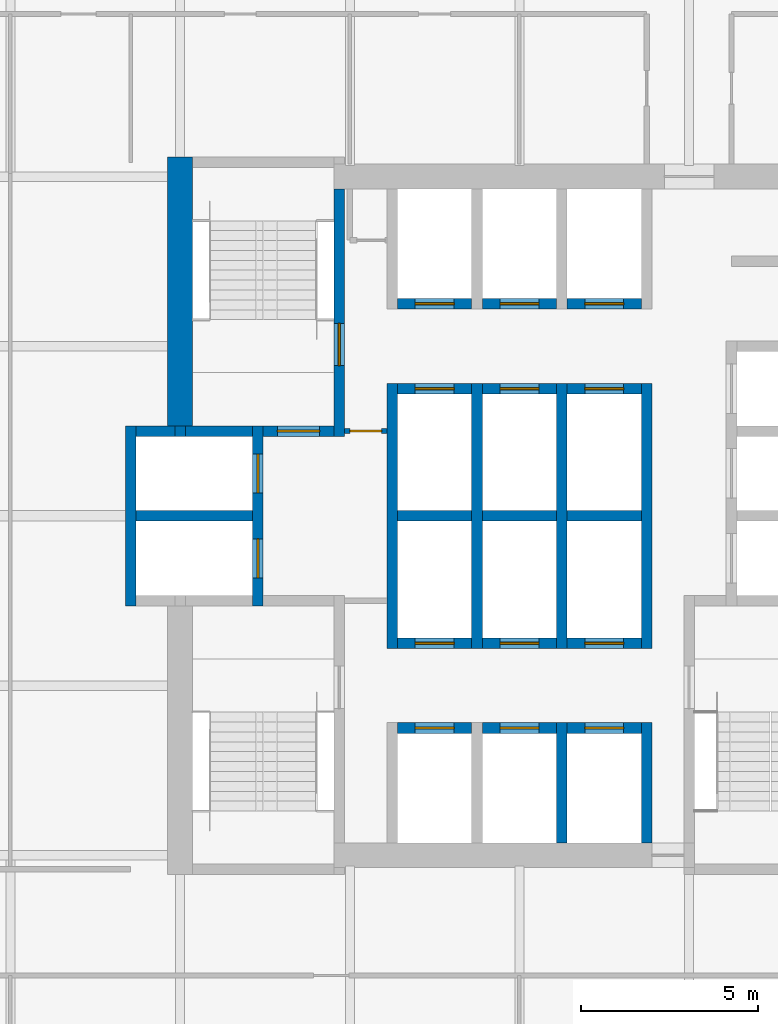
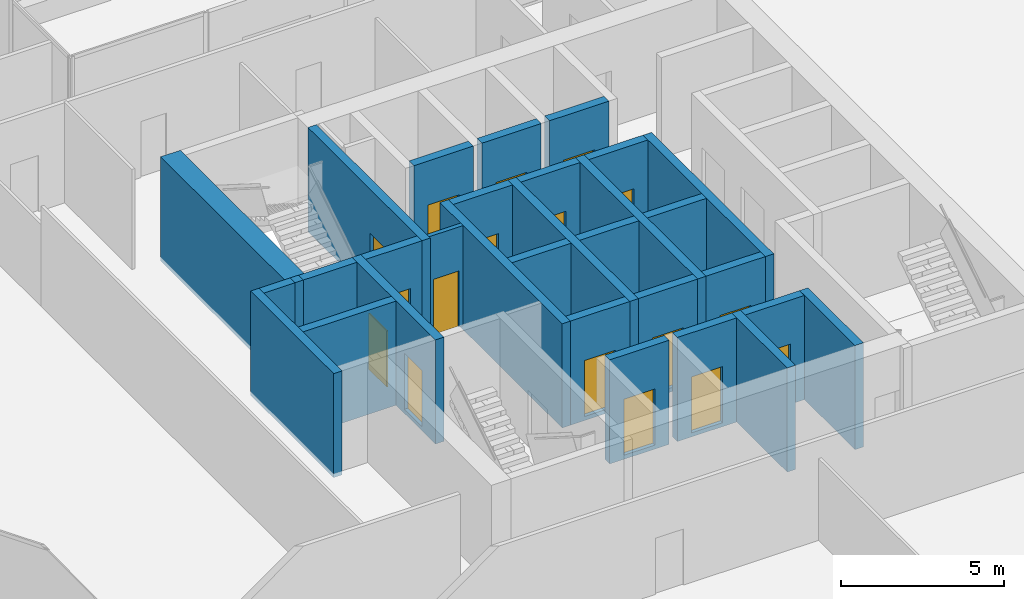
# One storey, part 12 of 17: 31 walls, 17 doors, 17 openings.
"""IFC4 building model written with IfcOpenShell, lengths in metres."""

from ifc_helpers import new_model, si_unit, direction, frame, frame_2d, origin, place, context, subcontext, project, spatial, rectangle, extrude, material, layer, layer_set, type_object, element, fill, save


model = new_model("IFC4")

# Units and contexts
model_context = context("Model", 3, precision=1e-05, world=origin(), true_north=direction((0.0, 1.0)))
body_context = subcontext(model_context, "Body", "Model", "MODEL_VIEW")
ifc_project = project(units=[si_unit("LENGTHUNIT", "METRE"), si_unit("AREAUNIT", "SQUARE_METRE"), si_unit("VOLUMEUNIT", "CUBIC_METRE"), si_unit("PLANEANGLEUNIT", "RADIAN"), si_unit("MASSUNIT", "GRAM", prefix="KILO")], contexts=[model_context])

# Site, building, storey
site_placement = place(None, origin())
site = spatial("IfcSite", under=ifc_project, at=site_placement, CompositionType="ELEMENT")
building_placement = place(site_placement, origin())
building = spatial("IfcBuilding", under=site, at=building_placement, Name="Kolab Exchange Tower", CompositionType="ELEMENT")
storey_placement = place(building_placement, frame((0.0, 0.0, 166.10009765625)))
storey = spatial("IfcBuildingStorey", under=building, at=storey_placement, Name="L34", CompositionType="ELEMENT", Elevation=166.10009765625)

# Wall
ifc_material_1 = material(Name="Concrete C60/75", Category="concrete")
ifc_layer_1 = layer(ifc_material_1, 0.699951171875)
ifc_layer_set_1 = layer_set([ifc_layer_1], Name="Concrete C60/75")
wall_type_1 = type_object("IfcWallType", Name="CORE WALL 700 C60/75", PredefinedType="SHEAR", material=ifc_layer_set_1)
wall_1_placement = place(storey_placement, frame((-9.60009765625, 2.550048828125, -0.150146484375), z_axis=(0.0, 0.0, 1.0), x_axis=(0.0, 1.0, 0.0)))
element("IfcWall", 1, at=wall_1_placement, inside=storey, type_object=wall_type_1, Name="wall/L34/core/037", PredefinedType="SHEAR", context=body_context, shape_type="SweptSolid", body=[
    extrude(rectangle(XDim=7.599853515625, YDim=0.699951171875, at=frame_2d((3.7998046875, 0.0))), origin(), (0.0, 0.0, 1.0), 3.900146484375),
])

# Wall, opening, door
ifc_material_2 = material(Name="Concrete C50/60", Category="concrete")
ifc_layer_2 = layer(ifc_material_2, 0.300048828125)
ifc_layer_set_2 = layer_set([ifc_layer_2], Name="Concrete C50/60")
wall_type_2 = type_object("IfcWallType", Name="LIFT SHAFT WALL 300 C50/60", PredefinedType="STANDARD", material=ifc_layer_set_2)
wall_2_placement = place(storey_placement, frame((-3.449951171875, -6.0, -0.150146484375), z_axis=(0.0, 0.0, 1.0), x_axis=(1.0, 0.0, 0.0)))
wall_2 = element("IfcWall", 2, at=wall_2_placement, inside=storey, type_object=wall_type_2, Name="wall/L34/core/003", PredefinedType="STANDARD", context=body_context, shape_type="SweptSolid", body=[
    extrude(rectangle(XDim=2.099853515625, YDim=0.300048828125, at=frame_2d((1.0498046875, 0.0))), origin(), (0.0, 0.0, 1.0), 3.900146484375),
])
opening_1_placement = place(wall_2_placement, frame((0.5, 0.0, 0.14990234375)))
opening_1 = element("IfcOpeningElement", 3, at=opening_1_placement, cuts=wall_2, Name="Opening LD1-110", PredefinedType="OPENING", context=body_context, shape_type="SweptSolid", body=[
    extrude(rectangle(XDim=1.10009765625, YDim=2.10009765625, at=frame_2d((0.550048828125, 1.050048828125))), frame((0.0, 0.16015625, 0.0), z_axis=(0.0, -1.0, 0.0), x_axis=(1.0, 0.0, 0.0)), (0.0, 0.0, 1.0), 0.320068359375),
])
ifc_material_3 = material(Name="Stainless steel 316", Category="steel")
door_type_1 = type_object("IfcDoorType", Name="LANDING DOOR 1100 PASSENGER", OperationType="DOUBLE_DOOR_SLIDING", PredefinedType="DOOR", material=ifc_material_3)
door_1_placement = place(opening_1_placement, origin())
door_1 = element("IfcDoor", 4, at=door_1_placement, inside=storey, type_object=door_type_1, Name="Landing door HR10", OperationType="DOUBLE_DOOR_SLIDING", OverallHeight=2.10009765625, OverallWidth=1.10009765625, PredefinedType="DOOR", context=body_context, shape_type="SweptSolid", body=[
    extrude(rectangle(XDim=1.10009765625, YDim=2.10009765625, at=frame_2d((0.550048828125, 1.050048828125))), frame((0.0, 0.02490234375, 0.0), z_axis=(0.0, -1.0, 0.0), x_axis=(1.0, 0.0, 0.0)), (0.0, 0.0, 1.0), 0.050048828125),
])
fill(opening_1, door_1)

wall_3_placement = place(storey_placement, frame((-1.050048828125, -6.0, -0.150146484375), z_axis=(0.0, 0.0, 1.0), x_axis=(1.0, 0.0, 0.0)))
wall_3 = element("IfcWall", 5, at=wall_3_placement, inside=storey, type_object=wall_type_2, Name="wall/L34/core/004", PredefinedType="STANDARD", context=body_context, shape_type="SweptSolid", body=[
    extrude(rectangle(XDim=2.10009765625, YDim=0.300048828125, at=frame_2d((1.050048828125, 0.0))), origin(), (0.0, 0.0, 1.0), 3.900146484375),
])
opening_2_placement = place(wall_3_placement, frame((0.5, 0.0, 0.14990234375)))
opening_2 = element("IfcOpeningElement", 6, at=opening_2_placement, cuts=wall_3, Name="Opening LD1-111", PredefinedType="OPENING", context=body_context, shape_type="SweptSolid", body=[
    extrude(rectangle(XDim=1.10009765625, YDim=2.10009765625, at=frame_2d((0.550048828125, 1.050048828125))), frame((0.0, 0.16015625, 0.0), z_axis=(0.0, -1.0, 0.0), x_axis=(1.0, 0.0, 0.0)), (0.0, 0.0, 1.0), 0.320068359375),
])
door_2_placement = place(opening_2_placement, origin())
door_2 = element("IfcDoor", 7, at=door_2_placement, inside=storey, type_object=door_type_1, Name="Landing door HR11", OperationType="DOUBLE_DOOR_SLIDING", OverallHeight=2.10009765625, OverallWidth=1.10009765625, PredefinedType="DOOR", context=body_context, shape_type="SweptSolid", body=[
    extrude(rectangle(XDim=1.10009765625, YDim=2.10009765625, at=frame_2d((0.550048828125, 1.050048828125))), frame((0.0, 0.02490234375, 0.0), z_axis=(0.0, -1.0, 0.0), x_axis=(1.0, 0.0, 0.0)), (0.0, 0.0, 1.0), 0.050048828125),
])
fill(opening_2, door_2)

wall_4_placement = place(storey_placement, frame((1.35009765625, -6.0, -0.150146484375), z_axis=(0.0, 0.0, 1.0), x_axis=(1.0, 0.0, 0.0)))
wall_4 = element("IfcWall", 8, at=wall_4_placement, inside=storey, type_object=wall_type_2, Name="wall/L34/core/005", PredefinedType="STANDARD", context=body_context, shape_type="SweptSolid", body=[
    extrude(rectangle(XDim=2.099853515625, YDim=0.300048828125, at=frame_2d((1.0498046875, 0.0))), origin(), (0.0, 0.0, 1.0), 3.900146484375),
])
opening_3_placement = place(wall_4_placement, frame((0.5, 0.0, 0.14990234375)))
opening_3 = element("IfcOpeningElement", 9, at=opening_3_placement, cuts=wall_4, Name="Opening LD1-112", PredefinedType="OPENING", context=body_context, shape_type="SweptSolid", body=[
    extrude(rectangle(XDim=1.10009765625, YDim=2.10009765625, at=frame_2d((0.550048828125, 1.050048828125))), frame((0.0, 0.16015625, 0.0), z_axis=(0.0, -1.0, 0.0), x_axis=(1.0, 0.0, 0.0)), (0.0, 0.0, 1.0), 0.320068359375),
])
door_3_placement = place(opening_3_placement, origin())
door_3 = element("IfcDoor", 10, at=door_3_placement, inside=storey, type_object=door_type_1, Name="Landing door HR12", OperationType="DOUBLE_DOOR_SLIDING", OverallHeight=2.10009765625, OverallWidth=1.10009765625, PredefinedType="DOOR", context=body_context, shape_type="SweptSolid", body=[
    extrude(rectangle(XDim=1.10009765625, YDim=2.10009765625, at=frame_2d((0.550048828125, 1.050048828125))), frame((0.0, 0.02490234375, 0.0), z_axis=(0.0, -1.0, 0.0), x_axis=(1.0, 0.0, 0.0)), (0.0, 0.0, 1.0), 0.050048828125),
])
fill(opening_3, door_3)

wall_5_placement = place(storey_placement, frame((-3.449951171875, -3.60009765625, -0.150146484375), z_axis=(0.0, 0.0, 1.0), x_axis=(1.0, 0.0, 0.0)))
wall_5 = element("IfcWall", 11, at=wall_5_placement, inside=storey, type_object=wall_type_2, Name="wall/L34/core/006", PredefinedType="STANDARD", context=body_context, shape_type="SweptSolid", body=[
    extrude(rectangle(XDim=2.099853515625, YDim=0.300048828125, at=frame_2d((1.0498046875, 0.0))), origin(), (0.0, 0.0, 1.0), 3.900146484375),
])
opening_4_placement = place(wall_5_placement, frame((0.5, 0.0, 0.14990234375)))
opening_4 = element("IfcOpeningElement", 12, at=opening_4_placement, cuts=wall_5, Name="Opening LD1-118", PredefinedType="OPENING", context=body_context, shape_type="SweptSolid", body=[
    extrude(rectangle(XDim=1.10009765625, YDim=2.10009765625, at=frame_2d((0.550048828125, 1.050048828125))), frame((0.0, 0.16015625, 0.0), z_axis=(0.0, -1.0, 0.0), x_axis=(1.0, 0.0, 0.0)), (0.0, 0.0, 1.0), 0.320068359375),
])
door_4_placement = place(opening_4_placement, origin())
door_4 = element("IfcDoor", 13, at=door_4_placement, inside=storey, type_object=door_type_1, Name="Landing door HR7", OperationType="DOUBLE_DOOR_SLIDING", OverallHeight=2.10009765625, OverallWidth=1.10009765625, PredefinedType="DOOR", context=body_context, shape_type="SweptSolid", body=[
    extrude(rectangle(XDim=1.10009765625, YDim=2.10009765625, at=frame_2d((0.550048828125, 1.050048828125))), frame((0.0, 0.02490234375, 0.0), z_axis=(0.0, -1.0, 0.0), x_axis=(1.0, 0.0, 0.0)), (0.0, 0.0, 1.0), 0.050048828125),
])
fill(opening_4, door_4)

wall_6_placement = place(storey_placement, frame((-1.050048828125, -3.60009765625, -0.150146484375), z_axis=(0.0, 0.0, 1.0), x_axis=(1.0, 0.0, 0.0)))
wall_6 = element("IfcWall", 14, at=wall_6_placement, inside=storey, type_object=wall_type_2, Name="wall/L34/core/007", PredefinedType="STANDARD", context=body_context, shape_type="SweptSolid", body=[
    extrude(rectangle(XDim=2.10009765625, YDim=0.300048828125, at=frame_2d((1.050048828125, 0.0))), origin(), (0.0, 0.0, 1.0), 3.900146484375),
])
opening_5_placement = place(wall_6_placement, frame((0.5, 0.0, 0.14990234375)))
opening_5 = element("IfcOpeningElement", 15, at=opening_5_placement, cuts=wall_6, Name="Opening LD1-119", PredefinedType="OPENING", context=body_context, shape_type="SweptSolid", body=[
    extrude(rectangle(XDim=1.10009765625, YDim=2.10009765625, at=frame_2d((0.550048828125, 1.050048828125))), frame((0.0, 0.16015625, 0.0), z_axis=(0.0, -1.0, 0.0), x_axis=(1.0, 0.0, 0.0)), (0.0, 0.0, 1.0), 0.320068359375),
])
door_5_placement = place(opening_5_placement, origin())
door_5 = element("IfcDoor", 16, at=door_5_placement, inside=storey, type_object=door_type_1, Name="Landing door HR8", OperationType="DOUBLE_DOOR_SLIDING", OverallHeight=2.10009765625, OverallWidth=1.10009765625, PredefinedType="DOOR", context=body_context, shape_type="SweptSolid", body=[
    extrude(rectangle(XDim=1.10009765625, YDim=2.10009765625, at=frame_2d((0.550048828125, 1.050048828125))), frame((0.0, 0.02490234375, 0.0), z_axis=(0.0, -1.0, 0.0), x_axis=(1.0, 0.0, 0.0)), (0.0, 0.0, 1.0), 0.050048828125),
])
fill(opening_5, door_5)

wall_7_placement = place(storey_placement, frame((1.35009765625, -3.60009765625, -0.150146484375), z_axis=(0.0, 0.0, 1.0), x_axis=(1.0, 0.0, 0.0)))
wall_7 = element("IfcWall", 17, at=wall_7_placement, inside=storey, type_object=wall_type_2, Name="wall/L34/core/008", PredefinedType="STANDARD", context=body_context, shape_type="SweptSolid", body=[
    extrude(rectangle(XDim=2.099853515625, YDim=0.300048828125, at=frame_2d((1.0498046875, 0.0))), origin(), (0.0, 0.0, 1.0), 3.900146484375),
])
opening_6_placement = place(wall_7_placement, frame((0.5, 0.0, 0.14990234375)))
opening_6 = element("IfcOpeningElement", 18, at=opening_6_placement, cuts=wall_7, Name="Opening LD1-120", PredefinedType="OPENING", context=body_context, shape_type="SweptSolid", body=[
    extrude(rectangle(XDim=1.10009765625, YDim=2.10009765625, at=frame_2d((0.550048828125, 1.050048828125))), frame((0.0, 0.16015625, 0.0), z_axis=(0.0, -1.0, 0.0), x_axis=(1.0, 0.0, 0.0)), (0.0, 0.0, 1.0), 0.320068359375),
])
door_6_placement = place(opening_6_placement, origin())
door_6 = element("IfcDoor", 19, at=door_6_placement, inside=storey, type_object=door_type_1, Name="Landing door HR9", OperationType="DOUBLE_DOOR_SLIDING", OverallHeight=2.10009765625, OverallWidth=1.10009765625, PredefinedType="DOOR", context=body_context, shape_type="SweptSolid", body=[
    extrude(rectangle(XDim=1.10009765625, YDim=2.10009765625, at=frame_2d((0.550048828125, 1.050048828125))), frame((0.0, 0.02490234375, 0.0), z_axis=(0.0, -1.0, 0.0), x_axis=(1.0, 0.0, 0.0)), (0.0, 0.0, 1.0), 0.050048828125),
])
fill(opening_6, door_6)

# Walls
wall_8_placement = place(storey_placement, frame((-10.85009765625, 0.0, -0.150146484375), z_axis=(0.0, 0.0, 1.0), x_axis=(1.0, 0.0, 0.0)))
element("IfcWall", 20, at=wall_8_placement, inside=storey, type_object=wall_type_2, Name="wall/L34/core/014", PredefinedType="STANDARD", context=body_context, shape_type="SweptSolid", body=[
    extrude(rectangle(XDim=3.300048828125, YDim=0.300048828125, at=frame_2d((1.64990234375, 0.0))), origin(), (0.0, 0.0, 1.0), 3.900146484375),
])
wall_9_placement = place(storey_placement, frame((-3.449951171875, 0.0, -0.150146484375), z_axis=(0.0, 0.0, 1.0), x_axis=(1.0, 0.0, 0.0)))
element("IfcWall", 21, at=wall_9_placement, inside=storey, type_object=wall_type_2, Name="wall/L34/core/015", PredefinedType="STANDARD", context=body_context, shape_type="SweptSolid", body=[
    extrude(rectangle(XDim=2.099853515625, YDim=0.300048828125, at=frame_2d((1.0498046875, 0.0))), origin(), (0.0, 0.0, 1.0), 3.900146484375),
])
wall_10_placement = place(storey_placement, frame((-1.050048828125, 0.0, -0.150146484375), z_axis=(0.0, 0.0, 1.0), x_axis=(1.0, 0.0, 0.0)))
element("IfcWall", 22, at=wall_10_placement, inside=storey, type_object=wall_type_2, Name="wall/L34/core/016", PredefinedType="STANDARD", context=body_context, shape_type="SweptSolid", body=[
    extrude(rectangle(XDim=2.10009765625, YDim=0.300048828125, at=frame_2d((1.050048828125, 0.0))), origin(), (0.0, 0.0, 1.0), 3.900146484375),
])
wall_11_placement = place(storey_placement, frame((1.35009765625, 0.0, -0.150146484375), z_axis=(0.0, 0.0, 1.0), x_axis=(1.0, 0.0, 0.0)))
element("IfcWall", 23, at=wall_11_placement, inside=storey, type_object=wall_type_2, Name="wall/L34/core/017", PredefinedType="STANDARD", context=body_context, shape_type="SweptSolid", body=[
    extrude(rectangle(XDim=2.099853515625, YDim=0.300048828125, at=frame_2d((1.0498046875, 0.0))), origin(), (0.0, 0.0, 1.0), 3.900146484375),
])
wall_12_placement = place(storey_placement, frame((-10.85009765625, 2.39990234375, -0.150146484375), z_axis=(0.0, 0.0, 1.0), x_axis=(1.0, 0.0, 0.0)))
element("IfcWall", 24, at=wall_12_placement, inside=storey, type_object=wall_type_2, Name="wall/L34/core/019", PredefinedType="STANDARD", context=body_context, shape_type="SweptSolid", body=[
    extrude(rectangle(XDim=1.10009765625, YDim=0.300048828125, at=frame_2d((0.550048828125, 0.0))), origin(), (0.0, 0.0, 1.0), 3.900146484375),
])

# Wall, opening, door
wall_13_placement = place(storey_placement, frame((-3.449951171875, 3.60009765625, -0.150146484375), z_axis=(0.0, 0.0, 1.0), x_axis=(1.0, 0.0, 0.0)))
wall_13 = element("IfcWall", 25, at=wall_13_placement, inside=storey, type_object=wall_type_2, Name="wall/L34/core/023", PredefinedType="STANDARD", context=body_context, shape_type="SweptSolid", body=[
    extrude(rectangle(XDim=2.099853515625, YDim=0.300048828125, at=frame_2d((1.0498046875, 0.0))), origin(), (0.0, 0.0, 1.0), 3.900146484375),
])
opening_7_placement = place(wall_13_placement, frame((0.5, 0.0, 0.14990234375)))
opening_7 = element("IfcOpeningElement", 26, at=opening_7_placement, cuts=wall_13, Name="Opening LD1-115", PredefinedType="OPENING", context=body_context, shape_type="SweptSolid", body=[
    extrude(rectangle(XDim=1.10009765625, YDim=2.10009765625, at=frame_2d((0.550048828125, 1.050048828125))), frame((0.0, 0.16015625, 0.0), z_axis=(0.0, -1.0, 0.0), x_axis=(1.0, 0.0, 0.0)), (0.0, 0.0, 1.0), 0.320068359375),
])
door_7_placement = place(opening_7_placement, origin())
door_7 = element("IfcDoor", 27, at=door_7_placement, inside=storey, type_object=door_type_1, Name="Landing door HR4", OperationType="DOUBLE_DOOR_SLIDING", OverallHeight=2.10009765625, OverallWidth=1.10009765625, PredefinedType="DOOR", context=body_context, shape_type="SweptSolid", body=[
    extrude(rectangle(XDim=1.10009765625, YDim=2.10009765625, at=frame_2d((0.550048828125, 1.050048828125))), frame((0.0, 0.02490234375, 0.0), z_axis=(0.0, -1.0, 0.0), x_axis=(1.0, 0.0, 0.0)), (0.0, 0.0, 1.0), 0.050048828125),
])
fill(opening_7, door_7)

wall_14_placement = place(storey_placement, frame((-1.050048828125, 3.60009765625, -0.150146484375), z_axis=(0.0, 0.0, 1.0), x_axis=(1.0, 0.0, 0.0)))
wall_14 = element("IfcWall", 28, at=wall_14_placement, inside=storey, type_object=wall_type_2, Name="wall/L34/core/024", PredefinedType="STANDARD", context=body_context, shape_type="SweptSolid", body=[
    extrude(rectangle(XDim=2.10009765625, YDim=0.300048828125, at=frame_2d((1.050048828125, 0.0))), origin(), (0.0, 0.0, 1.0), 3.900146484375),
])
opening_8_placement = place(wall_14_placement, frame((0.5, 0.0, 0.14990234375)))
opening_8 = element("IfcOpeningElement", 29, at=opening_8_placement, cuts=wall_14, Name="Opening LD1-116", PredefinedType="OPENING", context=body_context, shape_type="SweptSolid", body=[
    extrude(rectangle(XDim=1.10009765625, YDim=2.10009765625, at=frame_2d((0.550048828125, 1.050048828125))), frame((0.0, 0.16015625, 0.0), z_axis=(0.0, -1.0, 0.0), x_axis=(1.0, 0.0, 0.0)), (0.0, 0.0, 1.0), 0.320068359375),
])
door_8_placement = place(opening_8_placement, origin())
door_8 = element("IfcDoor", 30, at=door_8_placement, inside=storey, type_object=door_type_1, Name="Landing door HR5", OperationType="DOUBLE_DOOR_SLIDING", OverallHeight=2.10009765625, OverallWidth=1.10009765625, PredefinedType="DOOR", context=body_context, shape_type="SweptSolid", body=[
    extrude(rectangle(XDim=1.10009765625, YDim=2.10009765625, at=frame_2d((0.550048828125, 1.050048828125))), frame((0.0, 0.02490234375, 0.0), z_axis=(0.0, -1.0, 0.0), x_axis=(1.0, 0.0, 0.0)), (0.0, 0.0, 1.0), 0.050048828125),
])
fill(opening_8, door_8)

wall_15_placement = place(storey_placement, frame((1.35009765625, 3.60009765625, -0.150146484375), z_axis=(0.0, 0.0, 1.0), x_axis=(1.0, 0.0, 0.0)))
wall_15 = element("IfcWall", 31, at=wall_15_placement, inside=storey, type_object=wall_type_2, Name="wall/L34/core/025", PredefinedType="STANDARD", context=body_context, shape_type="SweptSolid", body=[
    extrude(rectangle(XDim=2.099853515625, YDim=0.300048828125, at=frame_2d((1.0498046875, 0.0))), origin(), (0.0, 0.0, 1.0), 3.900146484375),
])
opening_9_placement = place(wall_15_placement, frame((0.5, 0.0, 0.14990234375)))
opening_9 = element("IfcOpeningElement", 32, at=opening_9_placement, cuts=wall_15, Name="Opening LD1-117", PredefinedType="OPENING", context=body_context, shape_type="SweptSolid", body=[
    extrude(rectangle(XDim=1.10009765625, YDim=2.10009765625, at=frame_2d((0.550048828125, 1.050048828125))), frame((0.0, 0.16015625, 0.0), z_axis=(0.0, -1.0, 0.0), x_axis=(1.0, 0.0, 0.0)), (0.0, 0.0, 1.0), 0.320068359375),
])
door_9_placement = place(opening_9_placement, origin())
door_9 = element("IfcDoor", 33, at=door_9_placement, inside=storey, type_object=door_type_1, Name="Landing door HR6", OperationType="DOUBLE_DOOR_SLIDING", OverallHeight=2.10009765625, OverallWidth=1.10009765625, PredefinedType="DOOR", context=body_context, shape_type="SweptSolid", body=[
    extrude(rectangle(XDim=1.10009765625, YDim=2.10009765625, at=frame_2d((0.550048828125, 1.050048828125))), frame((0.0, 0.02490234375, 0.0), z_axis=(0.0, -1.0, 0.0), x_axis=(1.0, 0.0, 0.0)), (0.0, 0.0, 1.0), 0.050048828125),
])
fill(opening_9, door_9)

wall_16_placement = place(storey_placement, frame((-3.449951171875, 6.0, -0.150146484375), z_axis=(0.0, 0.0, 1.0), x_axis=(1.0, 0.0, 0.0)))
wall_16 = element("IfcWall", 34, at=wall_16_placement, inside=storey, type_object=wall_type_2, Name="wall/L34/core/027", PredefinedType="STANDARD", context=body_context, shape_type="SweptSolid", body=[
    extrude(rectangle(XDim=2.099853515625, YDim=0.300048828125, at=frame_2d((1.0498046875, 0.0))), origin(), (0.0, 0.0, 1.0), 3.900146484375),
])
opening_10_placement = place(wall_16_placement, frame((0.5, 0.0, 0.14990234375)))
opening_10 = element("IfcOpeningElement", 35, at=opening_10_placement, cuts=wall_16, Name="Opening LD1-109", PredefinedType="OPENING", context=body_context, shape_type="SweptSolid", body=[
    extrude(rectangle(XDim=1.10009765625, YDim=2.10009765625, at=frame_2d((0.550048828125, 1.050048828125))), frame((0.0, 0.16015625, 0.0), z_axis=(0.0, -1.0, 0.0), x_axis=(1.0, 0.0, 0.0)), (0.0, 0.0, 1.0), 0.320068359375),
])
door_10_placement = place(opening_10_placement, origin())
door_10 = element("IfcDoor", 36, at=door_10_placement, inside=storey, type_object=door_type_1, Name="Landing door HR1", OperationType="DOUBLE_DOOR_SLIDING", OverallHeight=2.10009765625, OverallWidth=1.10009765625, PredefinedType="DOOR", context=body_context, shape_type="SweptSolid", body=[
    extrude(rectangle(XDim=1.10009765625, YDim=2.10009765625, at=frame_2d((0.550048828125, 1.050048828125))), frame((0.0, 0.02490234375, 0.0), z_axis=(0.0, -1.0, 0.0), x_axis=(1.0, 0.0, 0.0)), (0.0, 0.0, 1.0), 0.050048828125),
])
fill(opening_10, door_10)

wall_17_placement = place(storey_placement, frame((-1.050048828125, 6.0, -0.150146484375), z_axis=(0.0, 0.0, 1.0), x_axis=(1.0, 0.0, 0.0)))
wall_17 = element("IfcWall", 37, at=wall_17_placement, inside=storey, type_object=wall_type_2, Name="wall/L34/core/028", PredefinedType="STANDARD", context=body_context, shape_type="SweptSolid", body=[
    extrude(rectangle(XDim=2.10009765625, YDim=0.300048828125, at=frame_2d((1.050048828125, 0.0))), origin(), (0.0, 0.0, 1.0), 3.900146484375),
])
opening_11_placement = place(wall_17_placement, frame((0.5, 0.0, 0.14990234375)))
opening_11 = element("IfcOpeningElement", 38, at=opening_11_placement, cuts=wall_17, Name="Opening LD1-113", PredefinedType="OPENING", context=body_context, shape_type="SweptSolid", body=[
    extrude(rectangle(XDim=1.10009765625, YDim=2.10009765625, at=frame_2d((0.550048828125, 1.050048828125))), frame((0.0, 0.16015625, 0.0), z_axis=(0.0, -1.0, 0.0), x_axis=(1.0, 0.0, 0.0)), (0.0, 0.0, 1.0), 0.320068359375),
])
door_11_placement = place(opening_11_placement, origin())
door_11 = element("IfcDoor", 39, at=door_11_placement, inside=storey, type_object=door_type_1, Name="Landing door HR2", OperationType="DOUBLE_DOOR_SLIDING", OverallHeight=2.10009765625, OverallWidth=1.10009765625, PredefinedType="DOOR", context=body_context, shape_type="SweptSolid", body=[
    extrude(rectangle(XDim=1.10009765625, YDim=2.10009765625, at=frame_2d((0.550048828125, 1.050048828125))), frame((0.0, 0.02490234375, 0.0), z_axis=(0.0, -1.0, 0.0), x_axis=(1.0, 0.0, 0.0)), (0.0, 0.0, 1.0), 0.050048828125),
])
fill(opening_11, door_11)

wall_18_placement = place(storey_placement, frame((1.35009765625, 6.0, -0.150146484375), z_axis=(0.0, 0.0, 1.0), x_axis=(1.0, 0.0, 0.0)))
wall_18 = element("IfcWall", 40, at=wall_18_placement, inside=storey, type_object=wall_type_2, Name="wall/L34/core/029", PredefinedType="STANDARD", context=body_context, shape_type="SweptSolid", body=[
    extrude(rectangle(XDim=2.099853515625, YDim=0.300048828125, at=frame_2d((1.0498046875, 0.0))), origin(), (0.0, 0.0, 1.0), 3.900146484375),
])
opening_12_placement = place(wall_18_placement, frame((0.5, 0.0, 0.14990234375)))
opening_12 = element("IfcOpeningElement", 41, at=opening_12_placement, cuts=wall_18, Name="Opening LD1-114", PredefinedType="OPENING", context=body_context, shape_type="SweptSolid", body=[
    extrude(rectangle(XDim=1.10009765625, YDim=2.10009765625, at=frame_2d((0.550048828125, 1.050048828125))), frame((0.0, 0.16015625, 0.0), z_axis=(0.0, -1.0, 0.0), x_axis=(1.0, 0.0, 0.0)), (0.0, 0.0, 1.0), 0.320068359375),
])
door_12_placement = place(opening_12_placement, origin())
door_12 = element("IfcDoor", 42, at=door_12_placement, inside=storey, type_object=door_type_1, Name="Landing door HR3", OperationType="DOUBLE_DOOR_SLIDING", OverallHeight=2.10009765625, OverallWidth=1.10009765625, PredefinedType="DOOR", context=body_context, shape_type="SweptSolid", body=[
    extrude(rectangle(XDim=1.10009765625, YDim=2.10009765625, at=frame_2d((0.550048828125, 1.050048828125))), frame((0.0, 0.02490234375, 0.0), z_axis=(0.0, -1.0, 0.0), x_axis=(1.0, 0.0, 0.0)), (0.0, 0.0, 1.0), 0.050048828125),
])
fill(opening_12, door_12)

# Wall
wall_19_placement = place(storey_placement, frame((-11.0, -2.550048828125, -0.150146484375), z_axis=(0.0, 0.0, 1.0), x_axis=(0.0, 1.0, 0.0)))
element("IfcWall", 43, at=wall_19_placement, inside=storey, type_object=wall_type_2, Name="wall/L34/core/033", PredefinedType="STANDARD", context=body_context, shape_type="SweptSolid", body=[
    extrude(rectangle(XDim=5.10009765625, YDim=0.300048828125, at=frame_2d((2.550048828125, 0.0))), origin(), (0.0, 0.0, 1.0), 3.900146484375),
])

# Wall, openings, doors
wall_20_placement = place(storey_placement, frame((-7.39990234375, -2.550048828125, -0.150146484375), z_axis=(0.0, 0.0, 1.0), x_axis=(0.0, 1.0, 0.0)))
wall_20 = element("IfcWall", 44, at=wall_20_placement, inside=storey, type_object=wall_type_2, Name="wall/L34/core/038", PredefinedType="STANDARD", context=body_context, shape_type="SweptSolid", body=[
    extrude(rectangle(XDim=5.10009765625, YDim=0.300048828125, at=frame_2d((2.550048828125, 0.0))), origin(), (0.0, 0.0, 1.0), 3.900146484375),
])
opening_13_placement = place(wall_20_placement, frame((0.800048828125, 0.0, 0.14990234375)))
opening_13 = element("IfcOpeningElement", 45, at=opening_13_placement, cuts=wall_20, Name="Opening LD2-025", PredefinedType="OPENING", context=body_context, shape_type="SweptSolid", body=[
    extrude(rectangle(XDim=1.10009765625, YDim=2.10009765625, at=frame_2d((0.550048828125, 1.050048828125))), frame((0.0, 0.16015625, 0.0), z_axis=(0.0, -1.0, 0.0), x_axis=(1.0, 0.0, 0.0)), (0.0, 0.0, 1.0), 0.320068359375),
])
opening_14_placement = place(wall_20_placement, frame((3.199951171875, 0.0, 0.14990234375)))
opening_14 = element("IfcOpeningElement", 46, at=opening_14_placement, cuts=wall_20, Name="Opening LD2-026", PredefinedType="OPENING", context=body_context, shape_type="SweptSolid", body=[
    extrude(rectangle(XDim=1.10009765625, YDim=2.10009765625, at=frame_2d((0.550048828125, 1.050048828125))), frame((0.0, 0.16015625, 0.0), z_axis=(0.0, -1.0, 0.0), x_axis=(1.0, 0.0, 0.0)), (0.0, 0.0, 1.0), 0.320068359375),
])
door_type_2 = type_object("IfcDoorType", Name="LANDING DOOR 1100 FIREFIGHTING", OperationType="DOUBLE_DOOR_SLIDING", PredefinedType="DOOR", material=ifc_material_3)
door_13_placement = place(opening_13_placement, origin())
door_13 = element("IfcDoor", 47, at=door_13_placement, inside=storey, type_object=door_type_2, Name="Landing door FF1", OperationType="DOUBLE_DOOR_SLIDING", OverallHeight=2.10009765625, OverallWidth=1.10009765625, PredefinedType="DOOR", context=body_context, shape_type="SweptSolid", body=[
    extrude(rectangle(XDim=1.10009765625, YDim=2.10009765625, at=frame_2d((0.550048828125, 1.050048828125))), frame((0.0, 0.02490234375, 0.0), z_axis=(0.0, -1.0, 0.0), x_axis=(1.0, 0.0, 0.0)), (0.0, 0.0, 1.0), 0.050048828125),
])
fill(opening_13, door_13)
door_14_placement = place(opening_14_placement, origin())
door_14 = element("IfcDoor", 48, at=door_14_placement, inside=storey, type_object=door_type_2, Name="Landing door FF2", OperationType="DOUBLE_DOOR_SLIDING", OverallHeight=2.10009765625, OverallWidth=1.10009765625, PredefinedType="DOOR", context=body_context, shape_type="SweptSolid", body=[
    extrude(rectangle(XDim=1.10009765625, YDim=2.10009765625, at=frame_2d((0.550048828125, 1.050048828125))), frame((0.0, 0.02490234375, 0.0), z_axis=(0.0, -1.0, 0.0), x_axis=(1.0, 0.0, 0.0)), (0.0, 0.0, 1.0), 0.050048828125),
])
fill(opening_14, door_14)

# Walls
for number, where, z_axis, x_axis, name in (
    (49, (-3.60009765625, -3.75, -0.150146484375), (0.0, 0.0, 1.0), (0.0, 1.0, 0.0), "wall/L34/core/044"),
    (50, (-1.199951171875, -3.75, -0.150146484375), (0.0, 0.0, 1.0), (0.0, 1.0, 0.0), "wall/L34/core/047"),
):
    element("IfcWall", number, at=place(storey_placement, frame(where, z_axis=z_axis, x_axis=x_axis)), inside=storey, type_object=wall_type_2, Name=name, PredefinedType="STANDARD", context=body_context, shape_type="SweptSolid", body=[
        extrude(rectangle(XDim=7.5, YDim=0.300048828125, at=frame_2d((3.75, 0.0))), origin(), (0.0, 0.0, 1.0), 3.900146484375),
    ])
wall_21_placement = place(storey_placement, frame((1.199951171875, -9.25, -0.150146484375), z_axis=(0.0, 0.0, 1.0), x_axis=(0.0, 1.0, 0.0)))
element("IfcWall", 51, at=wall_21_placement, inside=storey, type_object=wall_type_2, Name="wall/L34/core/049", PredefinedType="STANDARD", context=body_context, shape_type="SweptSolid", body=[
    extrude(rectangle(XDim=3.39990234375, YDim=0.300048828125, at=frame_2d((1.699951171875, 0.0))), origin(), (0.0, 0.0, 1.0), 3.900146484375),
])
wall_22_placement = place(storey_placement, frame((1.199951171875, -3.75, -0.150146484375), z_axis=(0.0, 0.0, 1.0), x_axis=(0.0, 1.0, 0.0)))
element("IfcWall", 52, at=wall_22_placement, inside=storey, type_object=wall_type_2, Name="wall/L34/core/050", PredefinedType="STANDARD", context=body_context, shape_type="SweptSolid", body=[
    extrude(rectangle(XDim=7.5, YDim=0.300048828125, at=frame_2d((3.75, 0.0))), origin(), (0.0, 0.0, 1.0), 3.900146484375),
])
wall_23_placement = place(storey_placement, frame((3.60009765625, -9.25, -0.150146484375), z_axis=(0.0, 0.0, 1.0), x_axis=(0.0, 1.0, 0.0)))
element("IfcWall", 53, at=wall_23_placement, inside=storey, type_object=wall_type_2, Name="wall/L34/core/052", PredefinedType="STANDARD", context=body_context, shape_type="SweptSolid", body=[
    extrude(rectangle(XDim=3.39990234375, YDim=0.300048828125, at=frame_2d((1.699951171875, 0.0))), origin(), (0.0, 0.0, 1.0), 3.900146484375),
])
wall_24_placement = place(storey_placement, frame((3.60009765625, -3.75, -0.150146484375), z_axis=(0.0, 0.0, 1.0), x_axis=(0.0, 1.0, 0.0)))
element("IfcWall", 54, at=wall_24_placement, inside=storey, type_object=wall_type_2, Name="wall/L34/core/053", PredefinedType="STANDARD", context=body_context, shape_type="SweptSolid", body=[
    extrude(rectangle(XDim=7.5, YDim=0.300048828125, at=frame_2d((3.75, 0.0))), origin(), (0.0, 0.0, 1.0), 3.900146484375),
])

# Wall, opening, door
ifc_material_4 = material(Name="Gypsum board", Category="gypsum")
ifc_layer_3 = layer(ifc_material_4, 0.14990234375)
ifc_layer_set_3 = layer_set([ifc_layer_3], Name="Gypsum board")
wall_type_3 = type_object("IfcWallType", Name="PARTITION 150 FIRE-RATED", PredefinedType="PARTITIONING", material=ifc_layer_set_3)
wall_25_placement = place(storey_placement, frame((-4.949951171875, 2.39990234375, 0.0), z_axis=(0.0, 0.0, 1.0), x_axis=(1.0, 0.0, 0.0)))
wall_25 = element("IfcWall", 55, at=wall_25_placement, inside=storey, type_object=wall_type_3, Name="Fire partition", PredefinedType="PARTITIONING", context=body_context, shape_type="SweptSolid", body=[
    extrude(rectangle(XDim=1.199951171875, YDim=0.14990234375, at=frame_2d((0.60009765625, 0.0))), origin(), (0.0, 0.0, 1.0), 3.75),
])
opening_15_placement = place(wall_25_placement, frame((0.14990234375, 0.0, 0.0)))
opening_15 = element("IfcOpeningElement", 56, at=opening_15_placement, cuts=wall_25, Name="Opening D6-288", PredefinedType="OPENING", context=body_context, shape_type="SweptSolid", body=[
    extrude(rectangle(XDim=0.89990234375, YDim=2.10009765625, at=frame_2d((0.449951171875, 1.050048828125))), frame((0.0, 0.0849609375, 0.0), z_axis=(0.0, -1.0, 0.0), x_axis=(1.0, 0.0, 0.0)), (0.0, 0.0, 1.0), 0.169921875),
])
ifc_material_5 = material(Name="Steel S235", Category="steel")
door_type_3 = type_object("IfcDoorType", Name="CORE DOOR 900 EI 120", OperationType="SINGLE_SWING_LEFT", PredefinedType="DOOR", material=ifc_material_5)
door_15_placement = place(opening_15_placement, frame((0.89990234375, 0.0, 0.0), z_axis=(0.0, 0.0, 1.0), x_axis=(-1.0, 0.0, 0.0)))
door_15 = element("IfcDoor", 57, at=door_15_placement, inside=storey, type_object=door_type_3, Name="Firefighting lobby door", OperationType="SINGLE_SWING_RIGHT", OverallHeight=2.10009765625, OverallWidth=0.89990234375, PredefinedType="DOOR", context=body_context, shape_type="SweptSolid", body=[
    extrude(rectangle(XDim=0.89990234375, YDim=2.10009765625, at=frame_2d((0.449951171875, 1.050048828125))), frame((0.0, 0.02490234375, 0.0), z_axis=(0.0, -1.0, 0.0), x_axis=(1.0, 0.0, 0.0)), (0.0, 0.0, 1.0), 0.050048828125),
])
fill(opening_15, door_15)

# Wall
ifc_layer_4 = layer(ifc_material_2, 0.300048828125)
ifc_layer_set_4 = layer_set([ifc_layer_4], Name="Concrete C50/60")
wall_type_4 = type_object("IfcWallType", Name="STAIR ENCLOSURE WALL 300 C50/60", PredefinedType="STANDARD", material=ifc_layer_set_4)
wall_26_placement = place(storey_placement, frame((-9.449951171875, 2.39990234375, -0.150146484375), z_axis=(0.0, 0.0, 1.0), x_axis=(1.0, 0.0, 0.0)))
element("IfcWall", 58, at=wall_26_placement, inside=storey, type_object=wall_type_4, Name="wall/L34/core/020", PredefinedType="STANDARD", context=body_context, shape_type="SweptSolid", body=[
    extrude(rectangle(XDim=1.89990234375, YDim=0.300048828125, at=frame_2d((0.949951171875, 0.0))), origin(), (0.0, 0.0, 1.0), 3.900146484375),
])

# Wall, opening, door
wall_27_placement = place(storey_placement, frame((-7.25, 2.39990234375, -0.150146484375), z_axis=(0.0, 0.0, 1.0), x_axis=(1.0, 0.0, 0.0)))
wall_27 = element("IfcWall", 59, at=wall_27_placement, inside=storey, type_object=wall_type_4, Name="wall/L34/core/021", PredefinedType="STANDARD", context=body_context, shape_type="SweptSolid", body=[
    extrude(rectangle(XDim=2.0, YDim=0.300048828125, at=frame_2d((1.0, 0.0))), origin(), (0.0, 0.0, 1.0), 3.900146484375),
])
opening_16_placement = place(wall_27_placement, frame((0.39990234375, 0.0, 0.14990234375)))
opening_16 = element("IfcOpeningElement", 60, at=opening_16_placement, cuts=wall_27, Name="Opening D4-065", PredefinedType="OPENING", context=body_context, shape_type="SweptSolid", body=[
    extrude(rectangle(XDim=1.199951171875, YDim=2.10009765625, at=frame_2d((0.60009765625, 1.050048828125))), frame((0.0, 0.16015625, 0.0), z_axis=(0.0, -1.0, 0.0), x_axis=(1.0, 0.0, 0.0)), (0.0, 0.0, 1.0), 0.320068359375),
])
door_type_4 = type_object("IfcDoorType", Name="STAIR DOOR 1200 EI 120", OperationType="SINGLE_SWING_LEFT", PredefinedType="DOOR", material=ifc_material_5)
door_16_placement = place(opening_16_placement, origin())
door_16 = element("IfcDoor", 61, at=door_16_placement, inside=storey, type_object=door_type_4, Name="Stair 1 door", OperationType="SINGLE_SWING_RIGHT", OverallHeight=2.10009765625, OverallWidth=1.199951171875, PredefinedType="DOOR", context=body_context, shape_type="SweptSolid", body=[
    extrude(rectangle(XDim=1.199951171875, YDim=2.10009765625, at=frame_2d((0.60009765625, 1.050048828125))), frame((0.0, 0.02490234375, 0.0), z_axis=(0.0, -1.0, 0.0), x_axis=(1.0, 0.0, 0.0)), (0.0, 0.0, 1.0), 0.050048828125),
])
fill(opening_16, door_16)

# Wall
wall_28_placement = place(storey_placement, frame((-9.60009765625, 2.25, -0.150146484375), z_axis=(0.0, 0.0, 1.0), x_axis=(0.0, 1.0, 0.0)))
element("IfcWall", 62, at=wall_28_placement, inside=storey, type_object=wall_type_4, Name="wall/L34/core/036", PredefinedType="STANDARD", context=body_context, shape_type="SweptSolid", body=[
    extrude(rectangle(XDim=0.300048828125, YDim=0.300048828125, at=frame_2d((0.14990234375, 0.0))), origin(), (0.0, 0.0, 1.0), 3.900146484375),
])

# Wall, opening, door
wall_29_placement = place(storey_placement, frame((-5.10009765625, 2.25, -0.150146484375), z_axis=(0.0, 0.0, 1.0), x_axis=(0.0, 1.0, 0.0)))
wall_29 = element("IfcWall", 63, at=wall_29_placement, inside=storey, type_object=wall_type_4, Name="wall/L34/core/041", PredefinedType="STANDARD", context=body_context, shape_type="SweptSolid", body=[
    extrude(rectangle(XDim=7.0, YDim=0.300048828125, at=frame_2d((3.5, 0.0))), origin(), (0.0, 0.0, 1.0), 3.900146484375),
])
opening_17_placement = place(wall_29_placement, frame((2.0, 0.0, 0.14990234375)))
opening_17 = element("IfcOpeningElement", 64, at=opening_17_placement, cuts=wall_29, Name="Opening D4-066", PredefinedType="OPENING", context=body_context, shape_type="SweptSolid", body=[
    extrude(rectangle(XDim=1.199951171875, YDim=2.10009765625, at=frame_2d((0.60009765625, 1.050048828125))), frame((0.0, 0.16015625, 0.0), z_axis=(0.0, -1.0, 0.0), x_axis=(1.0, 0.0, 0.0)), (0.0, 0.0, 1.0), 0.320068359375),
])
door_17_placement = place(opening_17_placement, origin())
door_17 = element("IfcDoor", 65, at=door_17_placement, inside=storey, type_object=door_type_4, Name="Stair 1 door", OperationType="SINGLE_SWING_LEFT", OverallHeight=2.10009765625, OverallWidth=1.199951171875, PredefinedType="DOOR", context=body_context, shape_type="SweptSolid", body=[
    extrude(rectangle(XDim=1.199951171875, YDim=2.10009765625, at=frame_2d((0.60009765625, 1.050048828125))), frame((0.0, 0.02490234375, 0.0), z_axis=(0.0, -1.0, 0.0), x_axis=(1.0, 0.0, 0.0)), (0.0, 0.0, 1.0), 0.050048828125),
])
fill(opening_17, door_17)

save(model, "model.ifc")
